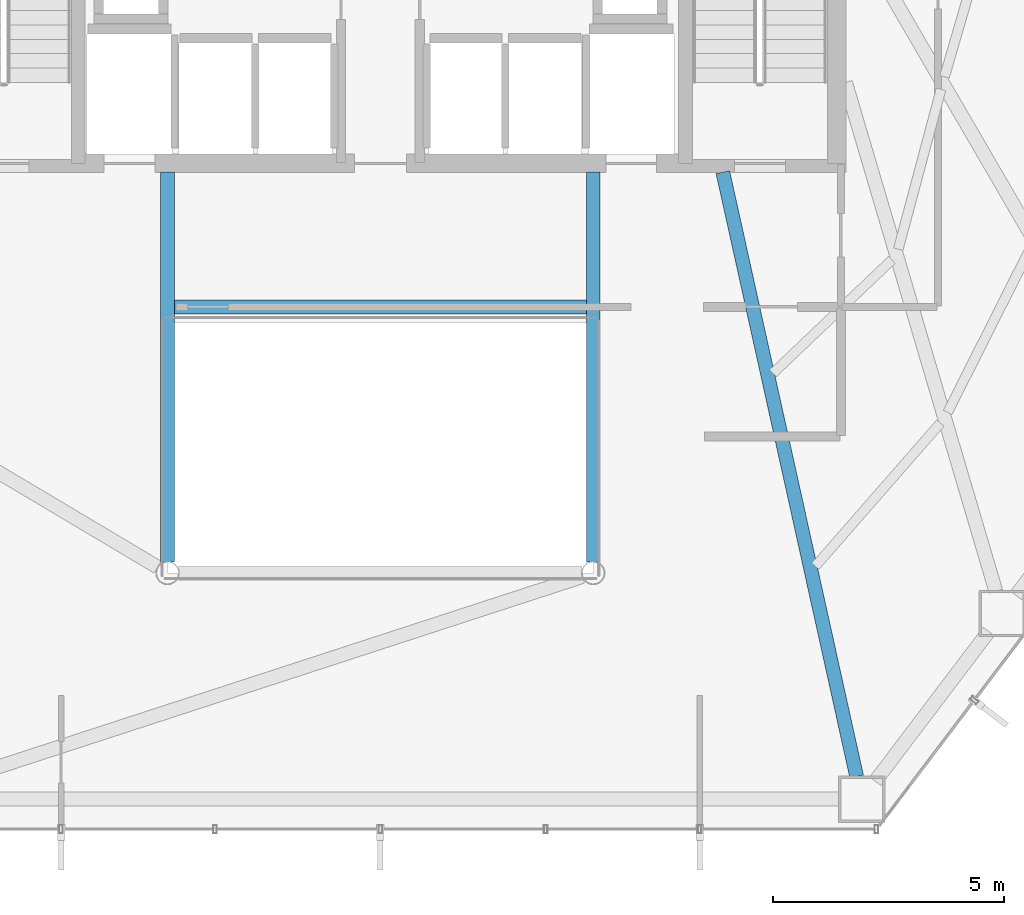
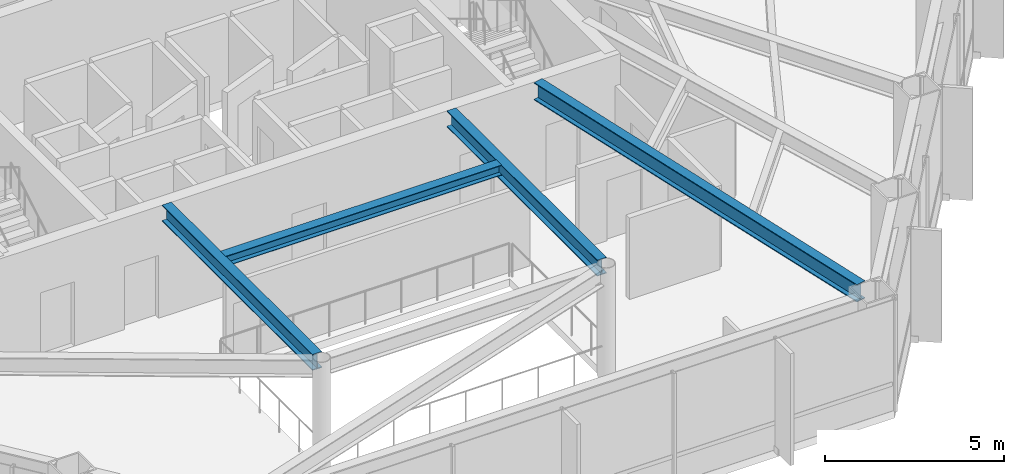
# One storey, part 9 of 25: 4 beams.
"""IFC4 building model written with IfcOpenShell, lengths in metres."""

from ifc_helpers import new_model, si_unit, direction, frame, origin, origin_2d, place, context, subcontext, project, spatial, i_section, extrude, material, material_profile, profile_set, type_object, element, save


model = new_model("IFC4")

# Units and contexts
model_context = context("Model", 3, precision=1e-05, world=origin(), true_north=direction((0.0, 1.0)))
body_context = subcontext(model_context, "Body", "Model", "MODEL_VIEW")
ifc_project = project(units=[si_unit("LENGTHUNIT", "METRE"), si_unit("AREAUNIT", "SQUARE_METRE"), si_unit("VOLUMEUNIT", "CUBIC_METRE"), si_unit("PLANEANGLEUNIT", "RADIAN"), si_unit("MASSUNIT", "GRAM", prefix="KILO")], contexts=[model_context])

# Site, building, storey
site_placement = place(None, origin())
site = spatial("IfcSite", under=ifc_project, at=site_placement, CompositionType="ELEMENT")
building_placement = place(site_placement, origin())
building = spatial("IfcBuilding", under=site, at=building_placement, Name="Zarrinselat Tower", CompositionType="ELEMENT")
storey_placement = place(building_placement, frame((0.0, 0.0, 56.10009765625)))
storey = spatial("IfcBuildingStorey", under=building, at=storey_placement, Name="L13", CompositionType="ELEMENT", Elevation=56.10009765625)

# Beams
ifc_material_1 = material(Name="Steel S355J2", Category="steel")
ifc_material_profile_1 = material_profile(ifc_material_1, i_section(OverallWidth=0.300048828125, OverallDepth=0.35009765625, WebThickness=0.010009765625, FlangeThickness=0.017578125, at=origin_2d()), Name="HEA 360")
ifc_profile_set_1 = profile_set([ifc_material_profile_1], Name="Steel S355J2")
beam_type_1 = type_object("IfcBeamType", Name="BM-HEA360", PredefinedType="LINTEL", material=ifc_profile_set_1)
beam_1_placement = place(storey_placement, frame((33.93994140625, 30.14990234375, 3.64501953125), z_axis=(1.0, 0.0, 0.0), x_axis=(0.0, 1.0, 0.0)))
element("IfcBeam", 1, at=beam_1_placement, inside=storey, type_object=beam_type_1, Name="L13 Lift Lobby Ceiling Beam", PredefinedType="LINTEL", context=body_context, shape_type="SweptSolid", body=[
    extrude(i_section(OverallWidth=0.300048828125, OverallDepth=0.35009765625, WebThickness=0.010009765625, FlangeThickness=0.017578125, at=origin_2d()), origin(), (0.0, 0.0, 1.0), 8.920166015625),
])
ifc_material_2 = material(Name="Steel S355J2", Category="steel")
ifc_material_profile_2 = material_profile(ifc_material_2, i_section(OverallWidth=0.300048828125, OverallDepth=0.550048828125, WebThickness=0.014892578125, FlangeThickness=0.029052734375, at=origin_2d()), Name="HEB 550")
ifc_profile_set_2 = profile_set([ifc_material_profile_2], Name="Steel S355J2")
beam_type_2 = type_object("IfcBeamType", Name="BM-HEB550", PredefinedType="BEAM", material=ifc_profile_set_2)
for number, where, z_axis, x_axis, name in (
    (2, (33.800048828125, 24.639892578125, 3.544921875), (0.0, 1.0, 0.0), (-1.0, 0.0, 0.0), "L13 Atrium Edge Beam W"),
    (3, (43.0, 24.639892578125, 3.544921875), (0.0, 1.0, 0.0), (-1.0, 0.0, 0.0), "L13 Atrium Edge Beam E"),
):
    element("IfcBeam", number, at=place(storey_placement, frame(where, z_axis=z_axis, x_axis=x_axis)), inside=storey, type_object=beam_type_2, Name=name, PredefinedType="BEAM", context=body_context, shape_type="SweptSolid", body=[
        extrude(i_section(OverallWidth=0.300048828125, OverallDepth=0.550048828125, WebThickness=0.014892578125, FlangeThickness=0.029052734375, at=origin_2d()), origin(), (0.0, 0.0, 1.0), 8.420166015625),
    ])
ifc_material_3 = material(Name="Steel S355J2", Category="steel")
ifc_material_profile_3 = material_profile(ifc_material_3, i_section(OverallWidth=0.300048828125, OverallDepth=0.60009765625, WebThickness=0.015380859375, FlangeThickness=0.030029296875, at=origin_2d()), Name="HEB 600")
ifc_profile_set_3 = profile_set([ifc_material_profile_3], Name="Steel S355J2")
beam_type_3 = type_object("IfcBeamType", Name="BM-HEB600", PredefinedType="BEAM", material=ifc_profile_set_3)
beam_2_placement = place(storey_placement, frame((45.800048828125, 33.06005859375, 3.52001953125), z_axis=(0.216165007623, -0.976356845359, 0.0), x_axis=(0.976356845359, 0.216165007623, 0.0)))
element("IfcBeam", 4, at=beam_2_placement, inside=storey, type_object=beam_type_3, Name="L13 Radial Primary Girder RG11", PredefinedType="BEAM", context=body_context, shape_type="SweptSolid", body=[
    extrude(i_section(OverallWidth=0.300048828125, OverallDepth=0.60009765625, WebThickness=0.015380859375, FlangeThickness=0.030029296875, at=origin_2d()), origin(), (0.0, 0.0, 1.0), 13.37451171875),
])

save(model, "model.ifc")
